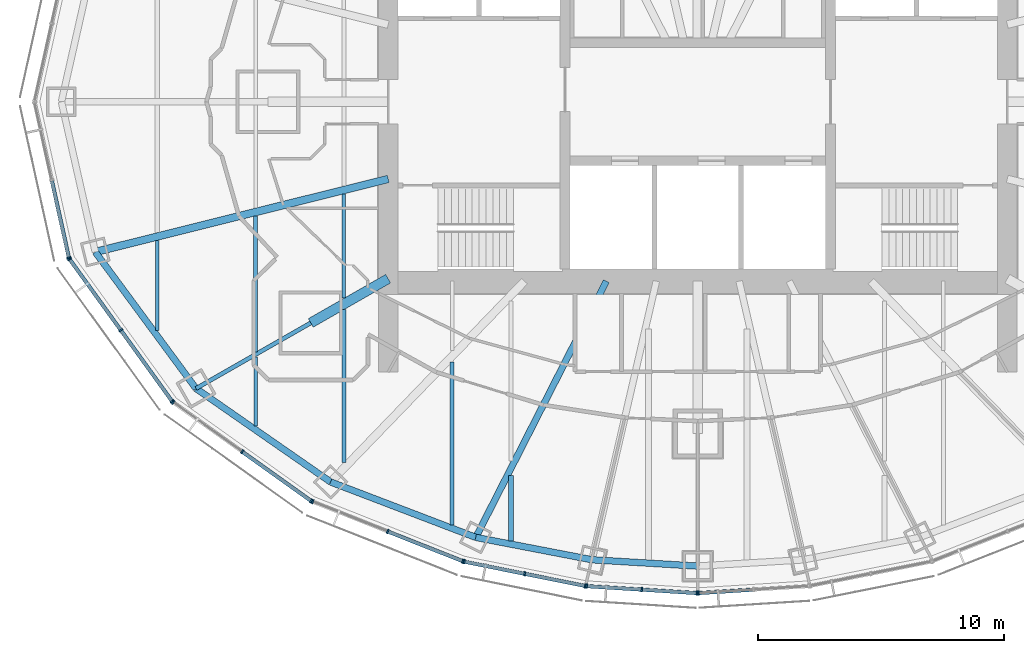
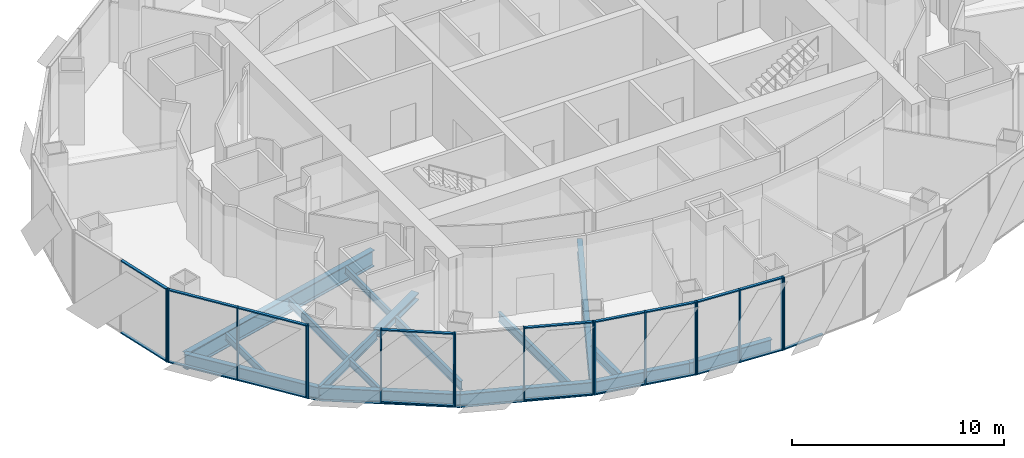
# One storey, part 2 of 19: 36 members, 16 beams, 7 elements without a shape of their own.
"""IFC4 building model written with IfcOpenShell, lengths in metres."""

from ifc_helpers import new_model, si_unit, direction, frame, origin, origin_2d, place, context, subcontext, project, spatial, rectangle, i_section, extrude, material, material_profile, profile_set, type_object, element, aggregate, save


model = new_model("IFC4")

# Units and contexts
model_context = context("Model", 3, precision=1e-05, world=origin(), true_north=direction((0.0, 1.0)))
body_context = subcontext(model_context, "Body", "Model", "MODEL_VIEW")
ifc_project = project(units=[si_unit("LENGTHUNIT", "METRE"), si_unit("AREAUNIT", "SQUARE_METRE"), si_unit("VOLUMEUNIT", "CUBIC_METRE"), si_unit("PLANEANGLEUNIT", "RADIAN"), si_unit("MASSUNIT", "GRAM", prefix="KILO")], contexts=[model_context])

# Site, building, storey
site_placement = place(None, origin())
site = spatial("IfcSite", under=ifc_project, at=site_placement, CompositionType="ELEMENT")
building_placement = place(site_placement, origin())
building = spatial("IfcBuilding", under=site, at=building_placement, Name="Lantaw Convention Tower", CompositionType="ELEMENT")
storey_placement = place(building_placement, frame((0.0, 0.0, 253.60009765625)))
storey = spatial("IfcBuildingStorey", under=building, at=storey_placement, Name="L59", CompositionType="ELEMENT", Elevation=253.60009765625)

# Beams
ifc_material_1 = material(Name="Steel ASTM A992", Category="steel")
ifc_material_profile_1 = material_profile(ifc_material_1, i_section(OverallWidth=0.2666015625, OverallDepth=0.76953125, WebThickness=0.015625, FlangeThickness=0.025390625, FilletRadius=0.0126953125, at=origin_2d()), Name="W30X132")
ifc_profile_set_1 = profile_set([ifc_material_profile_1], Name="Steel ASTM A992")
beam_type_1 = type_object("IfcBeamType", Name="Beam E W30X132", PredefinedType="SPANDREL", material=ifc_profile_set_1)
beam_1_placement = place(storey_placement, frame((-24.52197265625, -6.114013671875, -0.534912109375), z_axis=(0.593639188853, -0.804731329984, 0.0), x_axis=(0.804731329984, 0.593639188853, 0.0)))
element("IfcBeam", 1, at=beam_1_placement, inside=storey, type_object=beam_type_1, Name="Edge beam 14", PredefinedType="SPANDREL", context=body_context, shape_type="SweptSolid", body=[
    extrude(i_section(OverallWidth=0.2666015625, OverallDepth=0.76953125, WebThickness=0.015625, FlangeThickness=0.025390625, FilletRadius=0.0126953125, at=origin_2d()), origin(), (0.0, 0.0, 1.0), 6.904541015625),
])
beam_2_placement = place(storey_placement, frame((-20.423095703125, -11.67041015625, -0.534912109375), z_axis=(0.82135329406, -0.570419815869, 0.0), x_axis=(0.570419815869, 0.82135329406, 0.0)))
element("IfcBeam", 2, at=beam_2_placement, inside=storey, type_object=beam_type_1, Name="Edge beam 15", PredefinedType="SPANDREL", context=body_context, shape_type="SweptSolid", body=[
    extrude(i_section(OverallWidth=0.2666015625, OverallDepth=0.76953125, WebThickness=0.015625, FlangeThickness=0.025390625, FilletRadius=0.0126953125, at=origin_2d()), origin(), (0.0, 0.0, 1.0), 6.67041015625),
])
beam_3_placement = place(storey_placement, frame((-14.9443359375, -15.475341796875, -0.534912109375), z_axis=(0.934234988, -0.356658081637, 0.0), x_axis=(0.356658081637, 0.934234988, 0.0)))
element("IfcBeam", 3, at=beam_3_placement, inside=storey, type_object=beam_type_1, Name="Edge beam 16", PredefinedType="SPANDREL", context=body_context, shape_type="SweptSolid", body=[
    extrude(i_section(OverallWidth=0.2666015625, OverallDepth=0.76953125, WebThickness=0.015625, FlangeThickness=0.025390625, FilletRadius=0.0126953125, at=origin_2d()), origin(), (0.0, 0.0, 1.0), 6.32568359375),
])
beam_4_placement = place(storey_placement, frame((-9.03466796875, -17.7314453125, -0.534912109375), z_axis=(0.981972091702, -0.189025953556, 0.0), x_axis=(0.189025953556, 0.981972091702, 0.0)))
element("IfcBeam", 4, at=beam_4_placement, inside=storey, type_object=beam_type_1, Name="Edge beam 17", PredefinedType="SPANDREL", context=body_context, shape_type="SweptSolid", body=[
    extrude(i_section(OverallWidth=0.2666015625, OverallDepth=0.76953125, WebThickness=0.015625, FlangeThickness=0.025390625, FilletRadius=0.0126953125, at=origin_2d()), origin(), (0.0, 0.0, 1.0), 4.817626953125),
])
beam_5_placement = place(storey_placement, frame((-4.303955078125, -18.64208984375, -0.534912109375), z_axis=(0.998210730897, -0.059794119452, 0.0), x_axis=(0.059794119452, 0.998210730897, 0.0)))
element("IfcBeam", 5, at=beam_5_placement, inside=storey, type_object=beam_type_1, Name="Edge beam 18", PredefinedType="SPANDREL", context=body_context, shape_type="SweptSolid", body=[
    extrude(i_section(OverallWidth=0.2666015625, OverallDepth=0.76953125, WebThickness=0.015625, FlangeThickness=0.025390625, FilletRadius=0.0126953125, at=origin_2d()), origin(), (0.0, 0.0, 1.0), 4.311767578125),
])
ifc_material_profile_2 = material_profile(ifc_material_1, i_section(OverallWidth=0.1650390625, OverallDepth=0.52587890625, WebThickness=0.0087890625, FlangeThickness=0.011474609375, FilletRadius=0.0126953125, at=origin_2d()), Name="W21X44")
ifc_profile_set_2 = profile_set([ifc_material_profile_2], Name="Steel ASTM A992")
beam_type_2 = type_object("IfcBeamType", Name="Beam G W21X44", PredefinedType="BEAM", material=ifc_profile_set_2)
beam_6_placement = place(storey_placement, frame((-15.75, -9.0, -0.4130859375), z_axis=(-0.868237559289, -0.496148708192, 0.0), x_axis=(0.496148708192, -0.868237559289, 0.0)))
element("IfcBeam", 6, at=beam_6_placement, inside=storey, type_object=beam_type_2, Name="Floor girder on ray 15", PredefinedType="BEAM", context=body_context, shape_type="SweptSolid", body=[
    extrude(i_section(OverallWidth=0.1650390625, OverallDepth=0.52587890625, WebThickness=0.0087890625, FlangeThickness=0.011474609375, FilletRadius=0.0126953125, at=origin_2d()), origin(), (0.0, 0.0, 1.0), 5.38232421875),
])
ifc_material_profile_3 = material_profile(ifc_material_1, i_section(OverallWidth=0.2666015625, OverallDepth=0.7568359375, WebThickness=0.013916015625, FlangeThickness=0.019287109375, FilletRadius=0.0126953125, at=origin_2d()), Name="W30X108")
ifc_profile_set_3 = profile_set([ifc_material_profile_3], Name="Steel ASTM A992")
beam_type_3 = type_object("IfcBeamType", Name="Beam G W30X108", PredefinedType="BEAM", material=ifc_profile_set_3)
beam_7_placement = place(storey_placement, frame((-3.719482421875, -7.300048828125, -0.528564453125), z_axis=(-0.4539988787, -0.891002254845, 0.0), x_axis=(0.891002254845, -0.4539988787, 0.0)))
element("IfcBeam", 7, at=beam_7_placement, inside=storey, type_object=beam_type_3, Name="Floor girder on ray 17", PredefinedType="BEAM", context=body_context, shape_type="SweptSolid", body=[
    extrude(i_section(OverallWidth=0.2666015625, OverallDepth=0.7568359375, WebThickness=0.013916015625, FlangeThickness=0.019287109375, FilletRadius=0.0126953125, at=origin_2d()), origin(), (0.0, 0.0, 1.0), 11.70751953125),
])
ifc_material_profile_4 = material_profile(ifc_material_1, i_section(OverallWidth=0.307373046875, OverallDepth=0.9423828125, WebThickness=0.022216796875, FlangeThickness=0.039794921875, FilletRadius=0.0126953125, at=origin_2d()), Name="W36X232")
ifc_profile_set_4 = profile_set([ifc_material_profile_4], Name="Steel ASTM A992")
beam_type_4 = type_object("IfcBeamType", Name="Beam G W36X232", PredefinedType="BEAM", material=ifc_profile_set_4)
beam_8_placement = place(storey_placement, frame((-12.60009765625, -3.1416015625, -0.621337890625), z_axis=(-0.970296589314, -0.241918434119, 0.0), x_axis=(0.241918434119, -0.970296589314, 0.0)))
element("IfcBeam", 8, at=beam_8_placement, inside=storey, type_object=beam_type_4, Name="Floor girder on ray 14", PredefinedType="BEAM", context=body_context, shape_type="SweptSolid", body=[
    extrude(i_section(OverallWidth=0.307373046875, OverallDepth=0.9423828125, WebThickness=0.022216796875, FlangeThickness=0.039794921875, FilletRadius=0.0126953125, at=origin_2d()), origin(), (0.0, 0.0, 1.0), 12.286865234375),
])
ifc_material_profile_5 = material_profile(ifc_material_1, i_section(OverallWidth=0.40380859375, OverallDepth=0.406494140625, WebThickness=0.027099609375, FlangeThickness=0.043701171875, FilletRadius=0.01513671875, at=origin_2d()), Name="W14X233")
ifc_profile_set_5 = profile_set([ifc_material_profile_5], Name="Steel ASTM A992")
beam_type_5 = type_object("IfcBeamType", Name="Beam GM W14X233", PredefinedType="BEAM", material=ifc_profile_set_5)
beam_9_placement = place(storey_placement, frame((-12.60009765625, -7.199951171875, -0.353271484375), z_axis=(-0.868230718294, -0.496160679428, 0.0), x_axis=(0.496160679428, -0.868230718294, 0.0)))
element("IfcBeam", 9, at=beam_9_placement, inside=storey, type_object=beam_type_5, Name="Core link beam on ray 15", PredefinedType="BEAM", context=body_context, shape_type="SweptSolid", body=[
    extrude(i_section(OverallWidth=0.40380859375, OverallDepth=0.406494140625, WebThickness=0.027099609375, FlangeThickness=0.043701171875, FilletRadius=0.01513671875, at=origin_2d()), origin(), (0.0, 0.0, 1.0), 3.6279296875),
])
ifc_material_profile_6 = material_profile(ifc_material_1, i_section(OverallWidth=0.140380859375, OverallDepth=0.40380859375, WebThickness=0.007080078125, FlangeThickness=0.01123046875, FilletRadius=0.01025390625, at=origin_2d()), Name="W16X31")
ifc_profile_set_6 = profile_set([ifc_material_profile_6], Name="Steel ASTM A992")
beam_type_6 = type_object("IfcBeamType", Name="Beam J W16X31", PredefinedType="JOIST", material=ifc_profile_set_6)
beam_10_placement = place(storey_placement, frame((-22.0, -9.30810546875, -0.35205078125), z_axis=(0.0, 1.0, 0.0), x_axis=(-1.0, 0.0, 0.0)))
element("IfcBeam", 10, at=beam_10_placement, inside=storey, type_object=beam_type_6, Name="Floor joist", PredefinedType="JOIST", context=body_context, shape_type="SweptSolid", body=[
    extrude(i_section(OverallWidth=0.140380859375, OverallDepth=0.40380859375, WebThickness=0.007080078125, FlangeThickness=0.01123046875, FilletRadius=0.01025390625, at=origin_2d()), origin(), (0.0, 0.0, 1.0), 3.66455078125),
])
beam_11_placement = place(storey_placement, frame((-18.0, -13.19091796875, -0.35205078125), z_axis=(0.0, 1.0, 0.0), x_axis=(-1.0, 0.0, 0.0)))
element("IfcBeam", 11, at=beam_11_placement, inside=storey, type_object=beam_type_6, Name="Floor joist", PredefinedType="JOIST", context=body_context, shape_type="SweptSolid", body=[
    extrude(i_section(OverallWidth=0.140380859375, OverallDepth=0.40380859375, WebThickness=0.007080078125, FlangeThickness=0.01123046875, FilletRadius=0.01025390625, at=origin_2d()), origin(), (0.0, 0.0, 1.0), 2.81005859375),
])
beam_12_placement = place(storey_placement, frame((-14.39990234375, -7.99609375, -0.35205078125), z_axis=(0.0, 1.0, 0.0), x_axis=(-1.0, 0.0, 0.0)))
element("IfcBeam", 12, at=beam_12_placement, inside=storey, type_object=beam_type_6, Name="Floor joist", PredefinedType="JOIST", context=body_context, shape_type="SweptSolid", body=[
    extrude(i_section(OverallWidth=0.140380859375, OverallDepth=0.40380859375, WebThickness=0.007080078125, FlangeThickness=0.01123046875, FilletRadius=0.01025390625, at=origin_2d()), origin(), (0.0, 0.0, 1.0), 4.247314453125),
])
ifc_material_profile_7 = material_profile(ifc_material_1, i_section(OverallWidth=0.15234375, OverallDepth=0.449462890625, WebThickness=0.007568359375, FlangeThickness=0.0107421875, FilletRadius=0.01025390625, at=origin_2d()), Name="W18X35")
ifc_profile_set_7 = profile_set([ifc_material_profile_7], Name="Steel ASTM A992")
beam_type_7 = type_object("IfcBeamType", Name="Beam J W18X35", PredefinedType="JOIST", material=ifc_profile_set_7)
beam_13_placement = place(storey_placement, frame((-18.0, -10.190673828125, -0.375), z_axis=(0.0, 1.0, 0.0), x_axis=(-1.0, 0.0, 0.0)))
element("IfcBeam", 13, at=beam_13_placement, inside=storey, type_object=beam_type_7, Name="Floor joist", PredefinedType="JOIST", context=body_context, shape_type="SweptSolid", body=[
    extrude(i_section(OverallWidth=0.15234375, OverallDepth=0.449462890625, WebThickness=0.007568359375, FlangeThickness=0.0107421875, FilletRadius=0.01025390625, at=origin_2d()), origin(), (0.0, 0.0, 1.0), 5.54443359375),
])
ifc_material_profile_8 = material_profile(ifc_material_1, i_section(OverallWidth=0.1650390625, OverallDepth=0.52587890625, WebThickness=0.0087890625, FlangeThickness=0.011474609375, FilletRadius=0.0126953125, at=origin_2d()), Name="W21X44")
ifc_profile_set_8 = profile_set([ifc_material_profile_8], Name="Steel ASTM A992")
beam_type_8 = type_object("IfcBeamType", Name="Beam J W21X44", PredefinedType="JOIST", material=ifc_profile_set_8)
beam_14_placement = place(storey_placement, frame((-14.39990234375, -14.67578125, -0.4130859375), z_axis=(0.0, 1.0, 0.0), x_axis=(-1.0, 0.0, 0.0)))
element("IfcBeam", 14, at=beam_14_placement, inside=storey, type_object=beam_type_8, Name="Floor joist", PredefinedType="JOIST", context=body_context, shape_type="SweptSolid", body=[
    extrude(i_section(OverallWidth=0.1650390625, OverallDepth=0.52587890625, WebThickness=0.0087890625, FlangeThickness=0.011474609375, FilletRadius=0.0126953125, at=origin_2d()), origin(), (0.0, 0.0, 1.0), 6.214599609375),
])
beam_15_placement = place(storey_placement, frame((-10.0, -17.22021484375, -0.4130859375), z_axis=(0.0, 1.0, 0.0), x_axis=(-1.0, 0.0, 0.0)))
element("IfcBeam", 15, at=beam_15_placement, inside=storey, type_object=beam_type_8, Name="Floor joist", PredefinedType="JOIST", context=body_context, shape_type="SweptSolid", body=[
    extrude(i_section(OverallWidth=0.1650390625, OverallDepth=0.52587890625, WebThickness=0.0087890625, FlangeThickness=0.011474609375, FilletRadius=0.0126953125, at=origin_2d()), origin(), (0.0, 0.0, 1.0), 6.629150390625),
])
ifc_material_profile_9 = material_profile(ifc_material_1, i_section(OverallWidth=0.2099609375, OverallDepth=0.535888671875, WebThickness=0.010986328125, FlangeThickness=0.017333984375, FilletRadius=0.012939453125, at=origin_2d()), Name="W21X68")
ifc_profile_set_9 = profile_set([ifc_material_profile_9], Name="Steel ASTM A992")
beam_type_9 = type_object("IfcBeamType", Name="Beam J W21X68", PredefinedType="JOIST", material=ifc_profile_set_9)
beam_16_placement = place(storey_placement, frame((-7.60009765625, -17.871826171875, -0.41796875), z_axis=(0.0, 1.0, 0.0), x_axis=(-1.0, 0.0, 0.0)))
element("IfcBeam", 16, at=beam_16_placement, inside=storey, type_object=beam_type_9, Name="Floor joist", PredefinedType="JOIST", context=body_context, shape_type="SweptSolid", body=[
    extrude(i_section(OverallWidth=0.2099609375, OverallDepth=0.535888671875, WebThickness=0.010986328125, FlangeThickness=0.017333984375, FilletRadius=0.012939453125, at=origin_2d()), origin(), (0.0, 0.0, 1.0), 2.662353515625),
])

# Curtain wall, member
ifc_material_2 = material(Name="Aluminium framed curtain wall", Category="aluminium")
curtain_wall_type = type_object("IfcCurtainWallType", Name="Office curtain wall high rise, pale aluminium", PredefinedType="USERDEFINED", material=ifc_material_2)
curtain_wall_1_placement = place(storey_placement, origin())
curtain_wall_1 = element("IfcCurtainWall", 17, at=curtain_wall_1_placement, inside=storey, type_object=curtain_wall_type, Name="Office curtain wall high rise, pale aluminium L59", ObjectType="UNITISED CURTAIN WALL", PredefinedType="USERDEFINED")
ifc_material_3 = material(Name="Aluminium 6063-T6", Category="aluminium")
ifc_material_profile_10 = material_profile(ifc_material_3, rectangle(XDim=0.179931640625, YDim=0.06494140625, at=origin_2d()), Name="CW-O2 mullion 65x180")
ifc_profile_set_10 = profile_set([ifc_material_profile_10], Name="Aluminium 6063-T6")
member_type_1 = type_object("IfcMemberType", Name="CW-O2 mullion 65x180", PredefinedType="MULLION", material=ifc_profile_set_10)
member_1_placement = place(storey_placement, frame((-25.596435546875, -6.348388671875, -0.150146484375), z_axis=(0.0, 0.0, 1.0), x_axis=(0.976417396437, 0.215891333626, 0.0)))
member_1 = element("IfcMember", 18, at=member_1_placement, type_object=member_type_1, Name="CW-O2 mullion 3", PredefinedType="MULLION", context=body_context, shape_type="SweptSolid", body=[
    extrude(rectangle(XDim=0.179931640625, YDim=0.06494140625, at=origin_2d()), origin(), (0.0, 0.0, 1.0), 4.199951171875),
])

# Curtain wall, members
curtain_wall_2_placement = place(storey_placement, origin())
curtain_wall_2 = element("IfcCurtainWall", 19, at=curtain_wall_2_placement, inside=storey, type_object=curtain_wall_type, Name="Office curtain wall high rise, pale aluminium L59", ObjectType="UNITISED CURTAIN WALL", PredefinedType="USERDEFINED")
member_2_placement = place(storey_placement, frame((-25.5703125, -6.406494140625, -0.150146484375), z_axis=(0.0, 0.0, 1.0), x_axis=(0.810919559405, 0.585157643865, 0.0)))
member_2 = element("IfcMember", 20, at=member_2_placement, type_object=member_type_1, Name="CW-O2 mullion 1", PredefinedType="MULLION", context=body_context, shape_type="SweptSolid", body=[
    extrude(rectangle(XDim=0.179931640625, YDim=0.06494140625, at=origin_2d()), origin(), (0.0, 0.0, 1.0), 4.199951171875),
])
member_3_placement = place(storey_placement, frame((-23.483642578125, -9.298095703125, -0.150146484375), z_axis=(0.0, 0.0, 1.0), x_axis=(0.810919559405, 0.585157643865, 0.0)))
member_3 = element("IfcMember", 21, at=member_3_placement, type_object=member_type_1, Name="CW-O2 mullion 2", PredefinedType="MULLION", context=body_context, shape_type="SweptSolid", body=[
    extrude(rectangle(XDim=0.179931640625, YDim=0.06494140625, at=origin_2d()), origin(), (0.0, 0.0, 1.0), 4.199951171875),
])
member_4_placement = place(storey_placement, frame((-21.397216796875, -12.189697265625, -0.150146484375), z_axis=(0.0, 0.0, 1.0), x_axis=(0.810919559405, 0.585157643865, 0.0)))
member_4 = element("IfcMember", 22, at=member_4_placement, type_object=member_type_1, Name="CW-O2 mullion 3", PredefinedType="MULLION", context=body_context, shape_type="SweptSolid", body=[
    extrude(rectangle(XDim=0.179931640625, YDim=0.06494140625, at=origin_2d()), origin(), (0.0, 0.0, 1.0), 4.199951171875),
])

curtain_wall_3_placement = place(storey_placement, origin())
curtain_wall_3 = element("IfcCurtainWall", 23, at=curtain_wall_3_placement, inside=storey, type_object=curtain_wall_type, Name="Office curtain wall high rise, pale aluminium L59", ObjectType="UNITISED CURTAIN WALL", PredefinedType="USERDEFINED")
member_5_placement = place(storey_placement, frame((-21.3515625, -12.23486328125, -0.150146484375), z_axis=(0.0, 0.0, 1.0), x_axis=(0.581323487281, 0.813672540482, 0.0)))
member_5 = element("IfcMember", 24, at=member_5_placement, type_object=member_type_1, Name="CW-O2 mullion 1", PredefinedType="MULLION", context=body_context, shape_type="SweptSolid", body=[
    extrude(rectangle(XDim=0.179931640625, YDim=0.06494140625, at=origin_2d()), origin(), (0.0, 0.0, 1.0), 4.199951171875),
])
member_6_placement = place(storey_placement, frame((-18.543212890625, -14.241455078125, -0.150146484375), z_axis=(0.0, 0.0, 1.0), x_axis=(0.581323487281, 0.813672540482, 0.0)))
member_6 = element("IfcMember", 25, at=member_6_placement, type_object=member_type_1, Name="CW-O2 mullion 2", PredefinedType="MULLION", context=body_context, shape_type="SweptSolid", body=[
    extrude(rectangle(XDim=0.179931640625, YDim=0.06494140625, at=origin_2d()), origin(), (0.0, 0.0, 1.0), 4.199951171875),
])
member_7_placement = place(storey_placement, frame((-15.73486328125, -16.247802734375, -0.150146484375), z_axis=(0.0, 0.0, 1.0), x_axis=(0.581323487281, 0.813672540482, 0.0)))
member_7 = element("IfcMember", 26, at=member_7_placement, type_object=member_type_1, Name="CW-O2 mullion 3", PredefinedType="MULLION", context=body_context, shape_type="SweptSolid", body=[
    extrude(rectangle(XDim=0.179931640625, YDim=0.06494140625, at=origin_2d()), origin(), (0.0, 0.0, 1.0), 4.199951171875),
])

curtain_wall_4_placement = place(storey_placement, origin())
curtain_wall_4 = element("IfcCurtainWall", 27, at=curtain_wall_4_placement, inside=storey, type_object=curtain_wall_type, Name="Office curtain wall high rise, pale aluminium L59", ObjectType="UNITISED CURTAIN WALL", PredefinedType="USERDEFINED")
member_8_placement = place(storey_placement, frame((-15.67822265625, -16.278564453125, -0.150146484375), z_axis=(0.0, 0.0, 1.0), x_axis=(0.368162315252, 0.929761533743, 0.0)))
member_8 = element("IfcMember", 28, at=member_8_placement, type_object=member_type_1, Name="CW-O2 mullion 1", PredefinedType="MULLION", context=body_context, shape_type="SweptSolid", body=[
    extrude(rectangle(XDim=0.179931640625, YDim=0.06494140625, at=origin_2d()), origin(), (0.0, 0.0, 1.0), 4.199951171875),
])
member_9_placement = place(storey_placement, frame((-12.621337890625, -17.4892578125, -0.150146484375), z_axis=(0.0, 0.0, 1.0), x_axis=(0.368162315252, 0.929761533743, 0.0)))
member_9 = element("IfcMember", 29, at=member_9_placement, type_object=member_type_1, Name="CW-O2 mullion 2", PredefinedType="MULLION", context=body_context, shape_type="SweptSolid", body=[
    extrude(rectangle(XDim=0.179931640625, YDim=0.06494140625, at=origin_2d()), origin(), (0.0, 0.0, 1.0), 4.199951171875),
])
member_10_placement = place(storey_placement, frame((-9.564208984375, -18.69970703125, -0.150146484375), z_axis=(0.0, 0.0, 1.0), x_axis=(0.368162315252, 0.929761533743, 0.0)))
member_10 = element("IfcMember", 30, at=member_10_placement, type_object=member_type_1, Name="CW-O2 mullion 3", PredefinedType="MULLION", context=body_context, shape_type="SweptSolid", body=[
    extrude(rectangle(XDim=0.179931640625, YDim=0.06494140625, at=origin_2d()), origin(), (0.0, 0.0, 1.0), 4.199951171875),
])

curtain_wall_5_placement = place(storey_placement, origin())
curtain_wall_5 = element("IfcCurtainWall", 31, at=curtain_wall_5_placement, inside=storey, type_object=curtain_wall_type, Name="Office curtain wall high rise, pale aluminium L59", ObjectType="UNITISED CURTAIN WALL", PredefinedType="USERDEFINED")
member_11_placement = place(storey_placement, frame((-9.502197265625, -18.718017578125, -0.150146484375), z_axis=(0.0, 0.0, 1.0), x_axis=(0.197183095987, 0.980366679695, 0.0)))
member_11 = element("IfcMember", 32, at=member_11_placement, type_object=member_type_1, Name="CW-O2 mullion 1", PredefinedType="MULLION", context=body_context, shape_type="SweptSolid", body=[
    extrude(rectangle(XDim=0.179931640625, YDim=0.06494140625, at=origin_2d()), origin(), (0.0, 0.0, 1.0), 4.199951171875),
])
member_12_placement = place(storey_placement, frame((-7.042724609375, -19.212646484375, -0.150146484375), z_axis=(0.0, 0.0, 1.0), x_axis=(0.197183095987, 0.980366679695, 0.0)))
member_12 = element("IfcMember", 33, at=member_12_placement, type_object=member_type_1, Name="CW-O2 mullion 2", PredefinedType="MULLION", context=body_context, shape_type="SweptSolid", body=[
    extrude(rectangle(XDim=0.179931640625, YDim=0.06494140625, at=origin_2d()), origin(), (0.0, 0.0, 1.0), 4.199951171875),
])
member_13_placement = place(storey_placement, frame((-4.583251953125, -19.70751953125, -0.150146484375), z_axis=(0.0, 0.0, 1.0), x_axis=(0.197183095987, 0.980366679695, 0.0)))
member_13 = element("IfcMember", 34, at=member_13_placement, type_object=member_type_1, Name="CW-O2 mullion 3", PredefinedType="MULLION", context=body_context, shape_type="SweptSolid", body=[
    extrude(rectangle(XDim=0.179931640625, YDim=0.06494140625, at=origin_2d()), origin(), (0.0, 0.0, 1.0), 4.199951171875),
])

curtain_wall_6_placement = place(storey_placement, origin())
curtain_wall_6 = element("IfcCurtainWall", 35, at=curtain_wall_6_placement, inside=storey, type_object=curtain_wall_type, Name="Office curtain wall high rise, pale aluminium L59", ObjectType="UNITISED CURTAIN WALL", PredefinedType="USERDEFINED")
member_14_placement = place(storey_placement, frame((-4.518798828125, -19.7158203125, -0.150146484375), z_axis=(0.0, 0.0, 1.0), x_axis=(0.062757983884, 0.998028774865, 0.0)))
member_14 = element("IfcMember", 36, at=member_14_placement, type_object=member_type_1, Name="CW-O2 mullion 1", PredefinedType="MULLION", context=body_context, shape_type="SweptSolid", body=[
    extrude(rectangle(XDim=0.179931640625, YDim=0.06494140625, at=origin_2d()), origin(), (0.0, 0.0, 1.0), 4.199951171875),
])
member_15_placement = place(storey_placement, frame((-2.275634765625, -19.85693359375, -0.150146484375), z_axis=(0.0, 0.0, 1.0), x_axis=(0.062757983884, 0.998028774865, 0.0)))
member_15 = element("IfcMember", 37, at=member_15_placement, type_object=member_type_1, Name="CW-O2 mullion 2", PredefinedType="MULLION", context=body_context, shape_type="SweptSolid", body=[
    extrude(rectangle(XDim=0.179931640625, YDim=0.06494140625, at=origin_2d()), origin(), (0.0, 0.0, 1.0), 4.199951171875),
])
member_16_placement = place(storey_placement, frame((-0.032470703125, -19.998046875, -0.150146484375), z_axis=(0.0, 0.0, 1.0), x_axis=(0.062757983884, 0.998028774865, 0.0)))
member_16 = element("IfcMember", 38, at=member_16_placement, type_object=member_type_1, Name="CW-O2 mullion 3", PredefinedType="MULLION", context=body_context, shape_type="SweptSolid", body=[
    extrude(rectangle(XDim=0.179931640625, YDim=0.06494140625, at=origin_2d()), origin(), (0.0, 0.0, 1.0), 4.199951171875),
])

# Curtain wall, member
curtain_wall_7_placement = place(storey_placement, origin())
curtain_wall_7 = element("IfcCurtainWall", 39, at=curtain_wall_7_placement, inside=storey, type_object=curtain_wall_type, Name="Office curtain wall high rise, pale aluminium L59", ObjectType="UNITISED CURTAIN WALL", PredefinedType="USERDEFINED")
member_17_placement = place(storey_placement, frame((0.032470703125, -19.998046875, -0.150146484375), z_axis=(0.0, 0.0, 1.0), x_axis=(-0.062757983884, 0.998028774865, 0.0)))
member_17 = element("IfcMember", 40, at=member_17_placement, type_object=member_type_1, Name="CW-O2 mullion 1", PredefinedType="MULLION", context=body_context, shape_type="SweptSolid", body=[
    extrude(rectangle(XDim=0.179931640625, YDim=0.06494140625, at=origin_2d()), origin(), (0.0, 0.0, 1.0), 4.199951171875),
])

# Member
ifc_material_profile_11 = material_profile(ifc_material_3, rectangle(XDim=0.14990234375, YDim=0.06494140625, at=origin_2d()), Name="CW-O2 transom 65x150")
ifc_profile_set_11 = profile_set([ifc_material_profile_11], Name="Aluminium 6063-T6")
member_type_2 = type_object("IfcMemberType", Name="CW-O2 transom 65x150", PredefinedType="USERDEFINED", material=ifc_profile_set_11)
member_18_placement = place(storey_placement, frame((-26.28759765625, -3.2216796875, -0.11767578125), z_axis=(0.215894607042, -0.976416672661, 0.0), x_axis=(0.976416672661, 0.215894607042, 0.0)))
member_18 = element("IfcMember", 41, at=member_18_placement, type_object=member_type_2, Name="CW-O2 transom 2.1", ObjectType="TRANSOM", PredefinedType="USERDEFINED", context=body_context, shape_type="SweptSolid", body=[
    extrude(rectangle(XDim=0.14990234375, YDim=0.06494140625, at=origin_2d()), origin(), (0.0, 0.0, 1.0), 3.169677734375),
])

member_19_placement = place(storey_placement, frame((-26.28759765625, -3.2216796875, 4.017333984375), z_axis=(0.215894607042, -0.976416672661, 0.0), x_axis=(0.976416672661, 0.215894607042, 0.0)))
member_19 = element("IfcMember", 42, at=member_19_placement, type_object=member_type_2, Name="CW-O2 transom 2.2", ObjectType="TRANSOM", PredefinedType="USERDEFINED", context=body_context, shape_type="SweptSolid", body=[
    extrude(rectangle(XDim=0.14990234375, YDim=0.06494140625, at=origin_2d()), origin(), (0.0, 0.0, 1.0), 3.169677734375),
])

aggregate(curtain_wall_1, [member_1, member_18, member_19])

member_20_placement = place(storey_placement, frame((-25.55126953125, -6.432861328125, -0.11767578125), z_axis=(0.585169685931, -0.810910869743, 0.0), x_axis=(0.810910869743, 0.585169685931, 0.0)))
member_20 = element("IfcMember", 43, at=member_20_placement, type_object=member_type_2, Name="CW-O2 transom 1.1", ObjectType="TRANSOM", PredefinedType="USERDEFINED", context=body_context, shape_type="SweptSolid", body=[
    extrude(rectangle(XDim=0.14990234375, YDim=0.06494140625, at=origin_2d()), origin(), (0.0, 0.0, 1.0), 3.500732421875),
])

member_21_placement = place(storey_placement, frame((-25.55126953125, -6.432861328125, 4.017333984375), z_axis=(0.585169685931, -0.810910869743, 0.0), x_axis=(0.810910869743, 0.585169685931, 0.0)))
member_21 = element("IfcMember", 44, at=member_21_placement, type_object=member_type_2, Name="CW-O2 transom 1.2", ObjectType="TRANSOM", PredefinedType="USERDEFINED", context=body_context, shape_type="SweptSolid", body=[
    extrude(rectangle(XDim=0.14990234375, YDim=0.06494140625, at=origin_2d()), origin(), (0.0, 0.0, 1.0), 3.500732421875),
])

member_22_placement = place(storey_placement, frame((-23.464599609375, -9.324462890625, -0.11767578125), z_axis=(0.585123825205, -0.810943961798, 0.0), x_axis=(0.810943961798, 0.585123825205, 0.0)))
member_22 = element("IfcMember", 45, at=member_22_placement, type_object=member_type_2, Name="CW-O2 transom 2.1", ObjectType="TRANSOM", PredefinedType="USERDEFINED", context=body_context, shape_type="SweptSolid", body=[
    extrude(rectangle(XDim=0.14990234375, YDim=0.06494140625, at=origin_2d()), origin(), (0.0, 0.0, 1.0), 3.500732421875),
])

member_23_placement = place(storey_placement, frame((-23.464599609375, -9.324462890625, 4.017333984375), z_axis=(0.585123825205, -0.810943961798, 0.0), x_axis=(0.810943961798, 0.585123825205, 0.0)))
member_23 = element("IfcMember", 46, at=member_23_placement, type_object=member_type_2, Name="CW-O2 transom 2.2", ObjectType="TRANSOM", PredefinedType="USERDEFINED", context=body_context, shape_type="SweptSolid", body=[
    extrude(rectangle(XDim=0.14990234375, YDim=0.06494140625, at=origin_2d()), origin(), (0.0, 0.0, 1.0), 3.500732421875),
])

aggregate(curtain_wall_2, [member_2, member_3, member_4, member_20, member_21, member_22, member_23])

member_24_placement = place(storey_placement, frame((-18.516845703125, -14.26025390625, -0.11767578125), z_axis=(0.813645780821, -0.581360940683, 0.0), x_axis=(0.581360940683, 0.813645780821, 0.0)))
member_24 = element("IfcMember", 47, at=member_24_placement, type_object=member_type_2, Name="CW-O2 transom 2.1", ObjectType="TRANSOM", PredefinedType="USERDEFINED", context=body_context, shape_type="SweptSolid", body=[
    extrude(rectangle(XDim=0.14990234375, YDim=0.06494140625, at=origin_2d()), origin(), (0.0, 0.0, 1.0), 3.386474609375),
])

member_25_placement = place(storey_placement, frame((-18.516845703125, -14.26025390625, 4.017333984375), z_axis=(0.813645780821, -0.581360940683, 0.0), x_axis=(0.581360940683, 0.813645780821, 0.0)))
member_25 = element("IfcMember", 48, at=member_25_placement, type_object=member_type_2, Name="CW-O2 transom 2.2", ObjectType="TRANSOM", PredefinedType="USERDEFINED", context=body_context, shape_type="SweptSolid", body=[
    extrude(rectangle(XDim=0.14990234375, YDim=0.06494140625, at=origin_2d()), origin(), (0.0, 0.0, 1.0), 3.386474609375),
])

aggregate(curtain_wall_3, [member_5, member_6, member_7, member_24, member_25])

member_26_placement = place(storey_placement, frame((-12.591064453125, -17.501220703125, -0.11767578125), z_axis=(0.929766642946, -0.368149412149, 0.0), x_axis=(0.368149412149, 0.929766642946, 0.0)))
member_26 = element("IfcMember", 49, at=member_26_placement, type_object=member_type_2, Name="CW-O2 transom 2.1", ObjectType="TRANSOM", PredefinedType="USERDEFINED", context=body_context, shape_type="SweptSolid", body=[
    extrude(rectangle(XDim=0.14990234375, YDim=0.06494140625, at=origin_2d()), origin(), (0.0, 0.0, 1.0), 3.222900390625),
])

member_27_placement = place(storey_placement, frame((-12.591064453125, -17.501220703125, 4.017333984375), z_axis=(0.929766642946, -0.368149412149, 0.0), x_axis=(0.368149412149, 0.929766642946, 0.0)))
member_27 = element("IfcMember", 50, at=member_27_placement, type_object=member_type_2, Name="CW-O2 transom 2.2", ObjectType="TRANSOM", PredefinedType="USERDEFINED", context=body_context, shape_type="SweptSolid", body=[
    extrude(rectangle(XDim=0.14990234375, YDim=0.06494140625, at=origin_2d()), origin(), (0.0, 0.0, 1.0), 3.222900390625),
])

aggregate(curtain_wall_4, [member_8, member_9, member_10, member_26, member_27])

member_28_placement = place(storey_placement, frame((-9.47021484375, -18.724365234375, -0.11767578125), z_axis=(0.98036104319, -0.197211117829, 0.0), x_axis=(0.197211117829, 0.98036104319, 0.0)))
member_28 = element("IfcMember", 51, at=member_28_placement, type_object=member_type_2, Name="CW-O2 transom 1.1", ObjectType="TRANSOM", PredefinedType="USERDEFINED", context=body_context, shape_type="SweptSolid", body=[
    extrude(rectangle(XDim=0.14990234375, YDim=0.06494140625, at=origin_2d()), origin(), (0.0, 0.0, 1.0), 2.44384765625),
])

member_29_placement = place(storey_placement, frame((-9.47021484375, -18.724365234375, 4.017333984375), z_axis=(0.98036104319, -0.197211117829, 0.0), x_axis=(0.197211117829, 0.98036104319, 0.0)))
member_29 = element("IfcMember", 52, at=member_29_placement, type_object=member_type_2, Name="CW-O2 transom 1.2", ObjectType="TRANSOM", PredefinedType="USERDEFINED", context=body_context, shape_type="SweptSolid", body=[
    extrude(rectangle(XDim=0.14990234375, YDim=0.06494140625, at=origin_2d()), origin(), (0.0, 0.0, 1.0), 2.44384765625),
])

member_30_placement = place(storey_placement, frame((-7.0107421875, -19.21923828125, -0.11767578125), z_axis=(0.980380354178, -0.197115096178, 0.0), x_axis=(0.197115096178, 0.980380354178, 0.0)))
member_30 = element("IfcMember", 53, at=member_30_placement, type_object=member_type_2, Name="CW-O2 transom 2.1", ObjectType="TRANSOM", PredefinedType="USERDEFINED", context=body_context, shape_type="SweptSolid", body=[
    extrude(rectangle(XDim=0.14990234375, YDim=0.06494140625, at=origin_2d()), origin(), (0.0, 0.0, 1.0), 2.443603515625),
])

member_31_placement = place(storey_placement, frame((-7.0107421875, -19.21923828125, 4.017333984375), z_axis=(0.980380354178, -0.197115096178, 0.0), x_axis=(0.197115096178, 0.980380354178, 0.0)))
member_31 = element("IfcMember", 54, at=member_31_placement, type_object=member_type_2, Name="CW-O2 transom 2.2", ObjectType="TRANSOM", PredefinedType="USERDEFINED", context=body_context, shape_type="SweptSolid", body=[
    extrude(rectangle(XDim=0.14990234375, YDim=0.06494140625, at=origin_2d()), origin(), (0.0, 0.0, 1.0), 2.443603515625),
])

aggregate(curtain_wall_5, [member_11, member_12, member_13, member_28, member_29, member_30, member_31])

member_32_placement = place(storey_placement, frame((-4.486328125, -19.7177734375, -0.11767578125), z_axis=(0.998021991509, -0.062865765437, 0.0), x_axis=(0.062865765437, 0.998021991509, 0.0)))
member_32 = element("IfcMember", 55, at=member_32_placement, type_object=member_type_2, Name="CW-O2 transom 1.1", ObjectType="TRANSOM", PredefinedType="USERDEFINED", context=body_context, shape_type="SweptSolid", body=[
    extrude(rectangle(XDim=0.14990234375, YDim=0.06494140625, at=origin_2d()), origin(), (0.0, 0.0, 1.0), 2.1826171875),
])

member_33_placement = place(storey_placement, frame((-4.486328125, -19.7177734375, 4.017333984375), z_axis=(0.998021991509, -0.062865765437, 0.0), x_axis=(0.062865765437, 0.998021991509, 0.0)))
member_33 = element("IfcMember", 56, at=member_33_placement, type_object=member_type_2, Name="CW-O2 transom 1.2", ObjectType="TRANSOM", PredefinedType="USERDEFINED", context=body_context, shape_type="SweptSolid", body=[
    extrude(rectangle(XDim=0.14990234375, YDim=0.06494140625, at=origin_2d()), origin(), (0.0, 0.0, 1.0), 2.1826171875),
])

member_34_placement = place(storey_placement, frame((-2.2431640625, -19.85888671875, -0.11767578125), z_axis=(0.998029003644, -0.062754345555, 0.0), x_axis=(0.062754345555, 0.998029003644, 0.0)))
member_34 = element("IfcMember", 57, at=member_34_placement, type_object=member_type_2, Name="CW-O2 transom 2.1", ObjectType="TRANSOM", PredefinedType="USERDEFINED", context=body_context, shape_type="SweptSolid", body=[
    extrude(rectangle(XDim=0.14990234375, YDim=0.06494140625, at=origin_2d()), origin(), (0.0, 0.0, 1.0), 2.1826171875),
])

member_35_placement = place(storey_placement, frame((-2.2431640625, -19.85888671875, 4.017333984375), z_axis=(0.998029003644, -0.062754345555, 0.0), x_axis=(0.062754345555, 0.998029003644, 0.0)))
member_35 = element("IfcMember", 58, at=member_35_placement, type_object=member_type_2, Name="CW-O2 transom 2.2", ObjectType="TRANSOM", PredefinedType="USERDEFINED", context=body_context, shape_type="SweptSolid", body=[
    extrude(rectangle(XDim=0.14990234375, YDim=0.06494140625, at=origin_2d()), origin(), (0.0, 0.0, 1.0), 2.1826171875),
])

aggregate(curtain_wall_6, [member_14, member_15, member_16, member_32, member_33, member_34, member_35])

member_36_placement = place(storey_placement, frame((0.06494140625, -19.995849609375, -0.11767578125), z_axis=(0.998029003644, 0.062754345555, 0.0), x_axis=(-0.062754345555, 0.998029003644, 0.0)))
member_36 = element("IfcMember", 59, at=member_36_placement, type_object=member_type_2, Name="CW-O2 transom 1.1", ObjectType="TRANSOM", PredefinedType="USERDEFINED", context=body_context, shape_type="SweptSolid", body=[
    extrude(rectangle(XDim=0.14990234375, YDim=0.06494140625, at=origin_2d()), origin(), (0.0, 0.0, 1.0), 2.1826171875),
])

aggregate(curtain_wall_7, [member_17, member_36])

save(model, "model.ifc")
